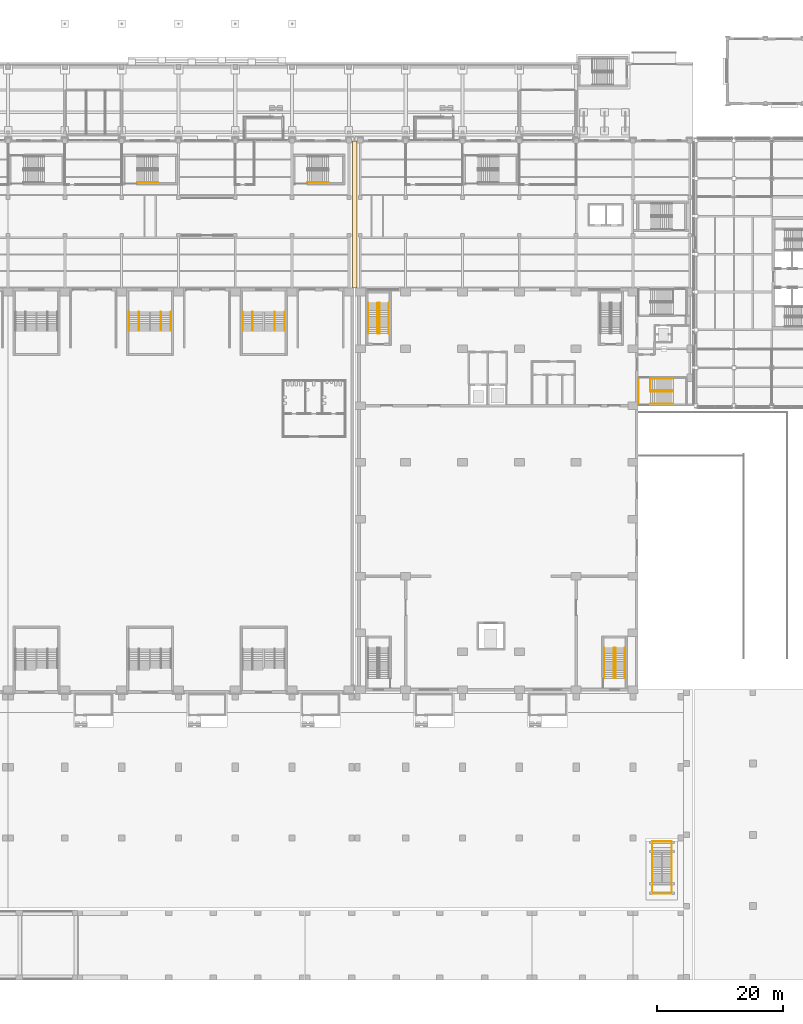
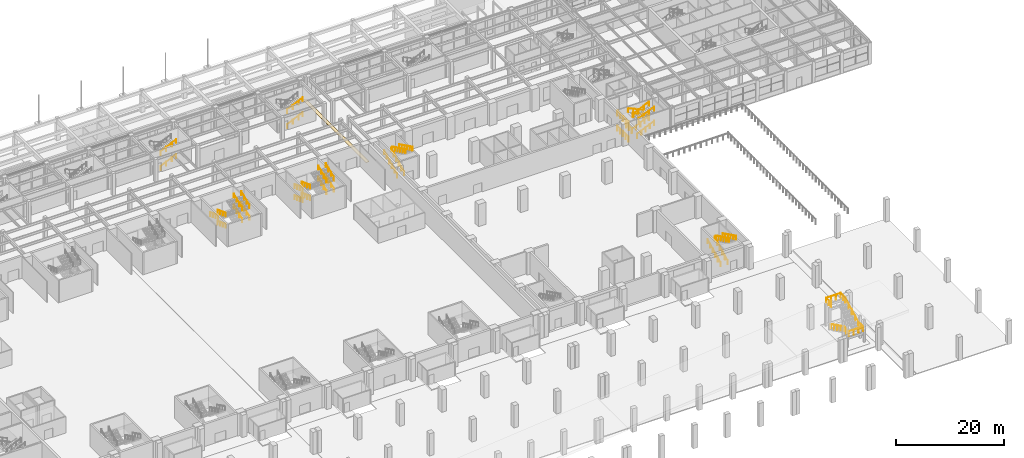
# One storey, part 67 of 77: 38 railings, 1 covering.
"""IFC4 building model written with IfcOpenShell, lengths in metres."""

from ifc_helpers import new_model, si_unit, direction, frame, origin, origin_2d, place, context, subcontext, project, spatial, polyline, circle, outline, extrude, material, layer, layer_set, type_object, element, save


model = new_model("IFC4")

# Units and contexts
model_context = context("Model", 3, precision=1e-05, world=origin(), true_north=direction((0.0, 1.0)))
body_context = subcontext(model_context, "Body", "Model", "MODEL_VIEW")
ifc_project = project(units=[si_unit("LENGTHUNIT", "METRE"), si_unit("AREAUNIT", "SQUARE_METRE"), si_unit("VOLUMEUNIT", "CUBIC_METRE"), si_unit("PLANEANGLEUNIT", "RADIAN"), si_unit("MASSUNIT", "GRAM", prefix="KILO")], contexts=[model_context])

# Site, building, storey
site_placement = place(None, origin())
site = spatial("IfcSite", under=ifc_project, at=site_placement, CompositionType="ELEMENT")
building_placement = place(site_placement, origin())
building = spatial("IfcBuilding", under=site, at=building_placement, Name="Aravalli Gate Trade Fair Centre", CompositionType="ELEMENT")
storey_placement = place(building_placement, origin())
storey = spatial("IfcBuildingStorey", under=building, at=storey_placement, Name="L00", CompositionType="ELEMENT", Elevation=0.0)

# Railings
ifc_material_1 = material(Name="Steel E350", Category="steel")
railing_type_1 = type_object("IfcRailingType", Name="Concourse stair handrail 900", PredefinedType="HANDRAIL", material=ifc_material_1)
railing_1_placement = place(storey_placement, frame((71.449951171875, 126.35009765625, 0.138916015625)))
element("IfcRailing", 1, at=railing_1_placement, inside=storey, type_object=railing_type_1, Name="Handrail XC L00 flight 1o", PredefinedType="HANDRAIL", context=body_context, shape_type="SweptSolid", body=[
    extrude(circle(Radius=0.02392578125, at=origin_2d()), frame((0.0, 0.0, 0.8759765625), z_axis=(0.907499493834, 0.0, 0.420053173647), x_axis=(0.0, 1.0, 0.0)), (0.0, 0.0, 1.0), 1.322265625),
    extrude(circle(Radius=0.02392578125, at=origin_2d()), frame((1.199951171875, 0.0, 1.43115234375), z_axis=(0.907461694017, 0.0, 0.420134828231), x_axis=(0.0, 1.0, 0.0)), (0.0, 0.0, 1.0), 1.322509765625),
    extrude(circle(Radius=0.02392578125, at=origin_2d()), frame((2.400146484375, 0.0, 1.98681640625), z_axis=(0.907418235185, 0.0, 0.420228683522), x_axis=(0.0, 1.0, 0.0)), (0.0, 0.0, 1.0), 0.99169921875),
    extrude(circle(Radius=0.02099609375, at=origin_2d()), origin(), (0.0, 0.0, 1.0), 0.851806640625),
    extrude(circle(Radius=0.02099609375, at=origin_2d()), frame((1.199951171875, 0.0, 0.555419921875)), (0.0, 0.0, 1.0), 0.851806640625),
    extrude(circle(Radius=0.02099609375, at=origin_2d()), frame((2.400146484375, 0.0, 1.111083984375)), (0.0, 0.0, 1.0), 0.851806640625),
    extrude(circle(Radius=0.02099609375, at=origin_2d()), frame((3.300048828125, 0.0, 1.52783203125)), (0.0, 0.0, 1.0), 0.851806640625),
])
railing_2_placement = place(storey_placement, frame((71.449951171875, 126.35009765625, 3.47216796875)))
element("IfcRailing", 2, at=railing_2_placement, inside=storey, type_object=railing_type_1, Name="Handrail XC L00 flight 3o", PredefinedType="HANDRAIL", context=body_context, shape_type="SweptSolid", body=[
    extrude(circle(Radius=0.02392578125, at=origin_2d()), frame((0.0, 0.0, 0.8759765625), z_axis=(0.907429102623, 0.0, 0.420205216189), x_axis=(0.0, 1.0, 0.0)), (0.0, 0.0, 1.0), 1.322265625),
    extrude(circle(Radius=0.02392578125, at=origin_2d()), frame((1.199951171875, 0.0, 1.431640625), z_axis=(0.907532064172, 0.0, 0.419982800242), x_axis=(0.0, 1.0, 0.0)), (0.0, 0.0, 1.0), 1.322509765625),
    extrude(circle(Radius=0.02392578125, at=origin_2d()), frame((2.400146484375, 0.0, 1.98681640625), z_axis=(0.907418235185, 0.0, 0.420228683522), x_axis=(0.0, 1.0, 0.0)), (0.0, 0.0, 1.0), 0.99169921875),
    extrude(circle(Radius=0.02099609375, at=origin_2d()), origin(), (0.0, 0.0, 1.0), 0.851806640625),
    extrude(circle(Radius=0.02099609375, at=origin_2d()), frame((1.199951171875, 0.0, 0.5556640625)), (0.0, 0.0, 1.0), 0.851806640625),
    extrude(circle(Radius=0.02099609375, at=origin_2d()), frame((2.400146484375, 0.0, 1.111083984375)), (0.0, 0.0, 1.0), 0.851806640625),
    extrude(circle(Radius=0.02099609375, at=origin_2d()), frame((3.300048828125, 0.0, 1.52783203125)), (0.0, 0.0, 1.0), 0.851806640625),
])
railing_3_placement = place(storey_placement, frame((98.449951171875, 126.35009765625, 0.138916015625)))
element("IfcRailing", 3, at=railing_3_placement, inside=storey, type_object=railing_type_1, Name="Handrail XD L00 flight 1o", PredefinedType="HANDRAIL", context=body_context, shape_type="SweptSolid", body=[
    extrude(circle(Radius=0.02392578125, at=origin_2d()), frame((0.0, 0.0, 0.8759765625), z_axis=(0.907499493834, 0.0, 0.420053173647), x_axis=(0.0, 1.0, 0.0)), (0.0, 0.0, 1.0), 1.322265625),
    extrude(circle(Radius=0.02392578125, at=origin_2d()), frame((1.199951171875, 0.0, 1.43115234375), z_axis=(0.907461694017, 0.0, 0.420134828231), x_axis=(0.0, 1.0, 0.0)), (0.0, 0.0, 1.0), 1.322509765625),
    extrude(circle(Radius=0.02392578125, at=origin_2d()), frame((2.400146484375, 0.0, 1.98681640625), z_axis=(0.907418235185, 0.0, 0.420228683522), x_axis=(0.0, 1.0, 0.0)), (0.0, 0.0, 1.0), 0.99169921875),
    extrude(circle(Radius=0.02099609375, at=origin_2d()), origin(), (0.0, 0.0, 1.0), 0.851806640625),
    extrude(circle(Radius=0.02099609375, at=origin_2d()), frame((1.199951171875, 0.0, 0.555419921875)), (0.0, 0.0, 1.0), 0.851806640625),
    extrude(circle(Radius=0.02099609375, at=origin_2d()), frame((2.400146484375, 0.0, 1.111083984375)), (0.0, 0.0, 1.0), 0.851806640625),
    extrude(circle(Radius=0.02099609375, at=origin_2d()), frame((3.300048828125, 0.0, 1.52783203125)), (0.0, 0.0, 1.0), 0.851806640625),
])
railing_4_placement = place(storey_placement, frame((98.449951171875, 126.35009765625, 3.47216796875)))
element("IfcRailing", 4, at=railing_4_placement, inside=storey, type_object=railing_type_1, Name="Handrail XD L00 flight 3o", PredefinedType="HANDRAIL", context=body_context, shape_type="SweptSolid", body=[
    extrude(circle(Radius=0.02392578125, at=origin_2d()), frame((0.0, 0.0, 0.8759765625), z_axis=(0.907429102623, 0.0, 0.420205216189), x_axis=(0.0, 1.0, 0.0)), (0.0, 0.0, 1.0), 1.322265625),
    extrude(circle(Radius=0.02392578125, at=origin_2d()), frame((1.199951171875, 0.0, 1.431640625), z_axis=(0.907532064172, 0.0, 0.419982800242), x_axis=(0.0, 1.0, 0.0)), (0.0, 0.0, 1.0), 1.322509765625),
    extrude(circle(Radius=0.02392578125, at=origin_2d()), frame((2.400146484375, 0.0, 1.98681640625), z_axis=(0.907418235185, 0.0, 0.420228683522), x_axis=(0.0, 1.0, 0.0)), (0.0, 0.0, 1.0), 0.99169921875),
    extrude(circle(Radius=0.02099609375, at=origin_2d()), origin(), (0.0, 0.0, 1.0), 0.851806640625),
    extrude(circle(Radius=0.02099609375, at=origin_2d()), frame((1.199951171875, 0.0, 0.5556640625)), (0.0, 0.0, 1.0), 0.851806640625),
    extrude(circle(Radius=0.02099609375, at=origin_2d()), frame((2.400146484375, 0.0, 1.111083984375)), (0.0, 0.0, 1.0), 0.851806640625),
    extrude(circle(Radius=0.02099609375, at=origin_2d()), frame((3.300048828125, 0.0, 1.52783203125)), (0.0, 0.0, 1.0), 0.851806640625),
])
railing_type_2 = type_object("IfcRailingType", Name="Congress stair handrail 900", PredefinedType="HANDRAIL", material=ifc_material_1)
for number, where, name in (
    (5, (145.469970703125, 47.800048828125, 0.147216796875), "Handrail GS2 L00 1"),
    (6, (146.949951171875, 47.800048828125, 0.147216796875), "Handrail GS2 L00 2"),
):
    element("IfcRailing", number, at=place(storey_placement, frame(where)), inside=storey, type_object=railing_type_2, Name=name, PredefinedType="HANDRAIL", context=body_context, shape_type="SweptSolid", body=[
        extrude(circle(Radius=0.02392578125, at=origin_2d()), frame((0.0, 0.0, 0.8759765625), z_axis=(0.0, 0.89793417156, 0.440129780343), x_axis=(-1.0, 0.0, 0.0)), (0.0, 0.0, 1.0), 5.345703125),
        extrude(circle(Radius=0.02099609375, at=origin_2d()), origin(), (0.0, 0.0, 1.0), 0.851806640625),
        extrude(circle(Radius=0.02099609375, at=origin_2d()), frame((0.0, 0.9599609375, 0.470458984375)), (0.0, 0.0, 1.0), 0.851806640625),
        extrude(circle(Radius=0.02099609375, at=origin_2d()), frame((0.0, 1.919921875, 0.941162109375)), (0.0, 0.0, 1.0), 0.851806640625),
        extrude(circle(Radius=0.02099609375, at=origin_2d()), frame((0.0, 2.880126953125, 1.41162109375)), (0.0, 0.0, 1.0), 0.851806640625),
        extrude(circle(Radius=0.02099609375, at=origin_2d()), frame((0.0, 3.840087890625, 1.88232421875)), (0.0, 0.0, 1.0), 0.851806640625),
        extrude(circle(Radius=0.02099609375, at=origin_2d()), frame((0.0, 4.800048828125, 2.352783203125)), (0.0, 0.0, 1.0), 0.851806640625),
    ])
for number, where, name in (
    (7, (148.72998046875, 52.60009765625, 2.647216796875), "Handrail GS2 L00 3"),
    (8, (147.25, 52.60009765625, 2.647216796875), "Handrail GS2 L00 4"),
):
    element("IfcRailing", number, at=place(storey_placement, frame(where)), inside=storey, type_object=railing_type_2, Name=name, PredefinedType="HANDRAIL", context=body_context, shape_type="SweptSolid", body=[
        extrude(circle(Radius=0.02392578125, at=origin_2d()), frame((0.0, 0.0, 0.8759765625), z_axis=(0.0, -0.89793417156, 0.440129780343), x_axis=(1.0, 0.0, 0.0)), (0.0, 0.0, 1.0), 5.345703125),
        extrude(circle(Radius=0.02099609375, at=origin_2d()), origin(), (0.0, 0.0, 1.0), 0.851806640625),
        extrude(circle(Radius=0.02099609375, at=origin_2d()), frame((0.0, -0.9599609375, 0.470458984375)), (0.0, 0.0, 1.0), 0.851806640625),
        extrude(circle(Radius=0.02099609375, at=origin_2d()), frame((0.0, -1.919921875, 0.941162109375)), (0.0, 0.0, 1.0), 0.851806640625),
        extrude(circle(Radius=0.02099609375, at=origin_2d()), frame((0.0, -2.880126953125, 1.41162109375)), (0.0, 0.0, 1.0), 0.851806640625),
        extrude(circle(Radius=0.02099609375, at=origin_2d()), frame((0.0, -3.840087890625, 1.88232421875)), (0.0, 0.0, 1.0), 0.851806640625),
        extrude(circle(Radius=0.02099609375, at=origin_2d()), frame((0.0, -4.800048828125, 2.352783203125)), (0.0, 0.0, 1.0), 0.851806640625),
    ])
for number, where, name in (
    (9, (108.070068359375, 102.449951171875, 0.147216796875), "Handrail GS3 L00 1"),
    (10, (109.550048828125, 102.449951171875, 0.147216796875), "Handrail GS3 L00 2"),
):
    element("IfcRailing", number, at=place(storey_placement, frame(where)), inside=storey, type_object=railing_type_2, Name=name, PredefinedType="HANDRAIL", context=body_context, shape_type="SweptSolid", body=[
        extrude(circle(Radius=0.02392578125, at=origin_2d()), frame((0.0, 0.0, 0.8759765625), z_axis=(0.0, 0.89793417156, 0.440129780343), x_axis=(-1.0, 0.0, 0.0)), (0.0, 0.0, 1.0), 5.345703125),
        extrude(circle(Radius=0.02099609375, at=origin_2d()), origin(), (0.0, 0.0, 1.0), 0.851806640625),
        extrude(circle(Radius=0.02099609375, at=origin_2d()), frame((0.0, 0.9599609375, 0.470458984375)), (0.0, 0.0, 1.0), 0.851806640625),
        extrude(circle(Radius=0.02099609375, at=origin_2d()), frame((0.0, 1.919921875, 0.941162109375)), (0.0, 0.0, 1.0), 0.851806640625),
        extrude(circle(Radius=0.02099609375, at=origin_2d()), frame((0.0, 2.880126953125, 1.41162109375)), (0.0, 0.0, 1.0), 0.851806640625),
        extrude(circle(Radius=0.02099609375, at=origin_2d()), frame((0.0, 3.840087890625, 1.88232421875)), (0.0, 0.0, 1.0), 0.851806640625),
        extrude(circle(Radius=0.02099609375, at=origin_2d()), frame((0.0, 4.800048828125, 2.352783203125)), (0.0, 0.0, 1.0), 0.851806640625),
    ])
for number, where, name in (
    (11, (111.330078125, 107.25, 2.647216796875), "Handrail GS3 L00 3"),
    (12, (109.85009765625, 107.25, 2.647216796875), "Handrail GS3 L00 4"),
):
    element("IfcRailing", number, at=place(storey_placement, frame(where)), inside=storey, type_object=railing_type_2, Name=name, PredefinedType="HANDRAIL", context=body_context, shape_type="SweptSolid", body=[
        extrude(circle(Radius=0.02392578125, at=origin_2d()), frame((0.0, 0.0, 0.8759765625), z_axis=(0.0, -0.89793417156, 0.440129780343), x_axis=(1.0, 0.0, 0.0)), (0.0, 0.0, 1.0), 5.345703125),
        extrude(circle(Radius=0.02099609375, at=origin_2d()), origin(), (0.0, 0.0, 1.0), 0.851806640625),
        extrude(circle(Radius=0.02099609375, at=origin_2d()), frame((0.0, -0.9599609375, 0.470458984375)), (0.0, 0.0, 1.0), 0.851806640625),
        extrude(circle(Radius=0.02099609375, at=origin_2d()), frame((0.0, -1.919921875, 0.941162109375)), (0.0, 0.0, 1.0), 0.851806640625),
        extrude(circle(Radius=0.02099609375, at=origin_2d()), frame((0.0, -2.880126953125, 1.41162109375)), (0.0, 0.0, 1.0), 0.851806640625),
        extrude(circle(Radius=0.02099609375, at=origin_2d()), frame((0.0, -3.840087890625, 1.88232421875)), (0.0, 0.0, 1.0), 0.851806640625),
        extrude(circle(Radius=0.02099609375, at=origin_2d()), frame((0.0, -4.800048828125, 2.352783203125)), (0.0, 0.0, 1.0), 0.851806640625),
    ])
railing_type_3 = type_object("IfcRailingType", Name="Edge guard 1100", PredefinedType="GUARDRAIL", material=ifc_material_1)
railing_5_placement = place(storey_placement, frame((153.050048828125, 20.199951171875, 0.147216796875)))
element("IfcRailing", 13, at=railing_5_placement, inside=storey, type_object=railing_type_3, Name="Stair guard 2 L00 A", PredefinedType="GUARDRAIL", context=body_context, shape_type="SweptSolid", body=[
    extrude(circle(Radius=0.02392578125, at=origin_2d()), frame((0.0, 0.0, 1.076171875), z_axis=(0.0, -0.89793417156, 0.440129780343), x_axis=(1.0, 0.0, 0.0)), (0.0, 0.0, 1.0), 5.345703125),
    extrude(circle(Radius=0.02392578125, at=origin_2d()), frame((0.0, -4.800048828125, 3.4287109375), z_axis=(0.0, -1.0, 0.0), x_axis=(1.0, 0.0, 0.0)), (0.0, 0.0, 1.0), 1.75),
    extrude(circle(Radius=0.02392578125, at=origin_2d()), frame((0.0, -6.550048828125, 3.4287109375), z_axis=(1.0, 0.0, 0.0), x_axis=(0.0, 1.0, 0.0)), (0.0, 0.0, 1.0), 3.099853515625),
    extrude(circle(Radius=0.02392578125, at=origin_2d()), frame((3.099853515625, -6.550048828125, 3.4287109375), z_axis=(0.0, 1.0, 0.0), x_axis=(-1.0, 0.0, 0.0)), (0.0, 0.0, 1.0), 1.75),
    extrude(circle(Radius=0.02392578125, at=origin_2d()), frame((3.099853515625, -4.800048828125, 3.4287109375), z_axis=(0.0, 0.886916009322, 0.46193072252), x_axis=(-1.0, 0.0, 0.0)), (0.0, 0.0, 1.0), 5.412109375),
    extrude(circle(Radius=0.02392578125, at=origin_2d()), frame((3.099853515625, 0.0, 5.9287109375), z_axis=(0.0, 1.0, 0.0), x_axis=(-1.0, 0.0, 0.0)), (0.0, 0.0, 1.0), 1.75),
    extrude(circle(Radius=0.02099609375, at=origin_2d()), origin(), (0.0, 0.0, 1.0), 1.052001953125),
    extrude(circle(Radius=0.02099609375, at=origin_2d()), frame((0.0, -1.199951171875, 0.588134765625)), (0.0, 0.0, 1.0), 1.052001953125),
    extrude(circle(Radius=0.02099609375, at=origin_2d()), frame((0.0, -2.39990234375, 1.17626953125)), (0.0, 0.0, 1.0), 1.052001953125),
    extrude(circle(Radius=0.02099609375, at=origin_2d()), frame((0.0, -3.60009765625, 1.7646484375)), (0.0, 0.0, 1.0), 1.052001953125),
    extrude(circle(Radius=0.02099609375, at=origin_2d()), frame((0.0, -4.800048828125, 2.352783203125)), (0.0, 0.0, 1.0), 1.052001953125),
    extrude(circle(Radius=0.02099609375, at=origin_2d()), frame((0.0, -5.675048828125, 2.352783203125)), (0.0, 0.0, 1.0), 1.052001953125),
    extrude(circle(Radius=0.02099609375, at=origin_2d()), frame((0.0, -6.550048828125, 2.352783203125)), (0.0, 0.0, 1.0), 1.052001953125),
    extrude(circle(Radius=0.02099609375, at=origin_2d()), frame((1.033203125, -6.550048828125, 2.352783203125)), (0.0, 0.0, 1.0), 1.052001953125),
    extrude(circle(Radius=0.02099609375, at=origin_2d()), frame((2.066650390625, -6.550048828125, 2.352783203125)), (0.0, 0.0, 1.0), 1.052001953125),
    extrude(circle(Radius=0.02099609375, at=origin_2d()), frame((3.099853515625, -6.550048828125, 2.352783203125)), (0.0, 0.0, 1.0), 1.052001953125),
    extrude(circle(Radius=0.02099609375, at=origin_2d()), frame((3.099853515625, -5.675048828125, 2.352783203125)), (0.0, 0.0, 1.0), 1.052001953125),
    extrude(circle(Radius=0.02099609375, at=origin_2d()), frame((3.099853515625, -4.800048828125, 2.352783203125)), (0.0, 0.0, 1.0), 1.052001953125),
    extrude(circle(Radius=0.02099609375, at=origin_2d()), frame((3.099853515625, -3.60009765625, 2.977783203125)), (0.0, 0.0, 1.0), 1.052001953125),
    extrude(circle(Radius=0.02099609375, at=origin_2d()), frame((3.099853515625, -2.39990234375, 3.602783203125)), (0.0, 0.0, 1.0), 1.052001953125),
    extrude(circle(Radius=0.02099609375, at=origin_2d()), frame((3.099853515625, -1.199951171875, 4.227783203125)), (0.0, 0.0, 1.0), 1.052001953125),
    extrude(circle(Radius=0.02099609375, at=origin_2d()), frame((3.099853515625, 0.0, 4.852783203125)), (0.0, 0.0, 1.0), 1.052001953125),
    extrude(circle(Radius=0.02099609375, at=origin_2d()), frame((3.099853515625, 0.875, 4.852783203125)), (0.0, 0.0, 1.0), 1.052001953125),
    extrude(circle(Radius=0.02099609375, at=origin_2d()), frame((3.099853515625, 1.75, 4.852783203125)), (0.0, 0.0, 1.0), 1.052001953125),
])
railing_6_placement = place(storey_placement, frame((153.050048828125, 20.199951171875, 5.0)))
element("IfcRailing", 14, at=railing_6_placement, inside=storey, type_object=railing_type_3, Name="Stair guard 2 L00 B", PredefinedType="GUARDRAIL", context=body_context, shape_type="SweptSolid", body=[
    extrude(circle(Radius=0.02392578125, at=origin_2d()), frame((0.0, 0.0, 1.076171875), z_axis=(0.0, 1.0, 0.0), x_axis=(-1.0, 0.0, 0.0)), (0.0, 0.0, 1.0), 1.75),
    extrude(circle(Radius=0.02392578125, at=origin_2d()), frame((0.0, 1.75, 1.076171875), z_axis=(1.0, 0.0, 0.0), x_axis=(0.0, 1.0, 0.0)), (0.0, 0.0, 1.0), 3.099853515625),
    extrude(circle(Radius=0.02099609375, at=origin_2d()), origin(), (0.0, 0.0, 1.0), 1.052001953125),
    extrude(circle(Radius=0.02099609375, at=origin_2d()), frame((0.0, 0.875, 0.0)), (0.0, 0.0, 1.0), 1.052001953125),
    extrude(circle(Radius=0.02099609375, at=origin_2d()), frame((0.0, 1.75, 0.0)), (0.0, 0.0, 1.0), 1.052001953125),
    extrude(circle(Radius=0.02099609375, at=origin_2d()), frame((1.033203125, 1.75, 0.0)), (0.0, 0.0, 1.0), 1.052001953125),
    extrude(circle(Radius=0.02099609375, at=origin_2d()), frame((2.066650390625, 1.75, 0.0)), (0.0, 0.0, 1.0), 1.052001953125),
    extrude(circle(Radius=0.02099609375, at=origin_2d()), frame((3.099853515625, 1.75, 0.0)), (0.0, 0.0, 1.0), 1.052001953125),
])

# Covering
ifc_material_2 = material(Name="Stainless steel", Category="steel")
ifc_layer = layer(ifc_material_2, 0.010009765625)
ifc_layer_set = layer_set([ifc_layer], Name="Stainless steel")
covering_type = type_object("IfcCoveringType", Name="Joint cover plate, stainless steel 10", PredefinedType="FLOORING", material=ifc_layer_set)
covering_placement = place(storey_placement, origin())
element("IfcCovering", 15, at=covering_placement, inside=storey, type_object=covering_type, Name="Joint cover plate J2 L00 1", PredefinedType="FLOORING", context=body_context, shape_type="SweptSolid", body=[
    extrude(outline(polyline([(105.550048828125, 109.60009765625), (106.25, 109.60009765625), (106.25, 132.919921875), (105.550048828125, 132.919921875), (105.550048828125, 109.60009765625)])), origin(), (0.0, 0.0, 1.0), 0.010009765625),
])

# Railings
railing_type_4 = type_object("IfcRailingType", Name="Stair handrail 900", PredefinedType="HANDRAIL", material=ifc_material_1)
railing_7_placement = place(storey_placement, frame((71.75, 105.85009765625, 0.113525390625)))
element("IfcRailing", 16, at=railing_7_placement, inside=storey, type_object=railing_type_4, Name="Handrail centre N08 L00 2", PredefinedType="HANDRAIL", context=body_context, shape_type="SweptSolid", body=[
    extrude(circle(Radius=0.02392578125, at=origin_2d()), frame((0.0, 0.0, 0.8759765625), z_axis=(0.0, -0.935147985876, 0.354257313985), x_axis=(1.0, 0.0, 0.0)), (0.0, 0.0, 1.0), 3.2080078125),
    extrude(circle(Radius=0.02099609375, at=origin_2d()), origin(), (0.0, 0.0, 1.0), 0.851806640625),
    extrude(circle(Radius=0.02099609375, at=origin_2d()), frame((0.0, -1.0, 0.37890625)), (0.0, 0.0, 1.0), 0.851806640625),
    extrude(circle(Radius=0.02099609375, at=origin_2d()), frame((0.0, -2.0, 0.757568359375)), (0.0, 0.0, 1.0), 0.851806640625),
    extrude(circle(Radius=0.02099609375, at=origin_2d()), frame((0.0, -3.0, 1.136474609375)), (0.0, 0.0, 1.0), 0.851806640625),
])
for number, where, name in (
    (17, (76.830078125, 102.85009765625, 1.363525390625), "Handrail N08 L00 3"),
    (18, (75.25, 102.85009765625, 1.363525390625), "Handrail centre N08 L00 4"),
):
    element("IfcRailing", number, at=place(storey_placement, frame(where)), inside=storey, type_object=railing_type_4, Name=name, PredefinedType="HANDRAIL", context=body_context, shape_type="SweptSolid", body=[
        extrude(circle(Radius=0.02392578125, at=origin_2d()), frame((0.0, 0.0, 0.8759765625), z_axis=(0.0, 0.935147985876, 0.354257313985), x_axis=(-1.0, 0.0, 0.0)), (0.0, 0.0, 1.0), 3.2080078125),
        extrude(circle(Radius=0.02099609375, at=origin_2d()), origin(), (0.0, 0.0, 1.0), 0.851806640625),
        extrude(circle(Radius=0.02099609375, at=origin_2d()), frame((0.0, 1.0, 0.37890625)), (0.0, 0.0, 1.0), 0.851806640625),
        extrude(circle(Radius=0.02099609375, at=origin_2d()), frame((0.0, 2.0, 0.757568359375)), (0.0, 0.0, 1.0), 0.851806640625),
        extrude(circle(Radius=0.02099609375, at=origin_2d()), frame((0.0, 3.0, 1.136474609375)), (0.0, 0.0, 1.0), 0.851806640625),
    ])
for number, where, name in (
    (19, (70.169921875, 105.85009765625, 2.613525390625), "Handrail N08 L00 5"),
    (20, (71.75, 105.85009765625, 2.613525390625), "Handrail centre N08 L00 6"),
):
    element("IfcRailing", number, at=place(storey_placement, frame(where)), inside=storey, type_object=railing_type_4, Name=name, PredefinedType="HANDRAIL", context=body_context, shape_type="SweptSolid", body=[
        extrude(circle(Radius=0.02392578125, at=origin_2d()), frame((0.0, 0.0, 0.8759765625), z_axis=(0.0, -0.935147985876, 0.354257313985), x_axis=(1.0, 0.0, 0.0)), (0.0, 0.0, 1.0), 3.2080078125),
        extrude(circle(Radius=0.02099609375, at=origin_2d()), origin(), (0.0, 0.0, 1.0), 0.851806640625),
        extrude(circle(Radius=0.02099609375, at=origin_2d()), frame((0.0, -1.0, 0.37890625)), (0.0, 0.0, 1.0), 0.851806640625),
        extrude(circle(Radius=0.02099609375, at=origin_2d()), frame((0.0, -2.0, 0.757568359375)), (0.0, 0.0, 1.0), 0.851806640625),
        extrude(circle(Radius=0.02099609375, at=origin_2d()), frame((0.0, -3.0, 1.136474609375)), (0.0, 0.0, 1.0), 0.851806640625),
    ])
for number, where, name in (
    (21, (76.830078125, 102.85009765625, 3.863525390625), "Handrail N08 L00 7"),
    (22, (75.25, 102.85009765625, 3.863525390625), "Handrail centre N08 L00 8"),
):
    element("IfcRailing", number, at=place(storey_placement, frame(where)), inside=storey, type_object=railing_type_4, Name=name, PredefinedType="HANDRAIL", context=body_context, shape_type="SweptSolid", body=[
        extrude(circle(Radius=0.02392578125, at=origin_2d()), frame((0.0, 0.0, 0.8759765625), z_axis=(0.0, 0.935147985876, 0.354257313985), x_axis=(-1.0, 0.0, 0.0)), (0.0, 0.0, 1.0), 3.2080078125),
        extrude(circle(Radius=0.02099609375, at=origin_2d()), origin(), (0.0, 0.0, 1.0), 0.851806640625),
        extrude(circle(Radius=0.02099609375, at=origin_2d()), frame((0.0, 1.0, 0.37890625)), (0.0, 0.0, 1.0), 0.851806640625),
        extrude(circle(Radius=0.02099609375, at=origin_2d()), frame((0.0, 2.0, 0.757568359375)), (0.0, 0.0, 1.0), 0.851806640625),
        extrude(circle(Radius=0.02099609375, at=origin_2d()), frame((0.0, 3.0, 1.136474609375)), (0.0, 0.0, 1.0), 0.851806640625),
    ])
for number, where, name in (
    (23, (88.169921875, 105.85009765625, 0.113525390625), "Handrail N10 L00 1"),
    (24, (89.75, 105.85009765625, 0.113525390625), "Handrail centre N10 L00 2"),
):
    element("IfcRailing", number, at=place(storey_placement, frame(where)), inside=storey, type_object=railing_type_4, Name=name, PredefinedType="HANDRAIL", context=body_context, shape_type="SweptSolid", body=[
        extrude(circle(Radius=0.02392578125, at=origin_2d()), frame((0.0, 0.0, 0.8759765625), z_axis=(0.0, -0.935147985876, 0.354257313985), x_axis=(1.0, 0.0, 0.0)), (0.0, 0.0, 1.0), 3.2080078125),
        extrude(circle(Radius=0.02099609375, at=origin_2d()), origin(), (0.0, 0.0, 1.0), 0.851806640625),
        extrude(circle(Radius=0.02099609375, at=origin_2d()), frame((0.0, -1.0, 0.37890625)), (0.0, 0.0, 1.0), 0.851806640625),
        extrude(circle(Radius=0.02099609375, at=origin_2d()), frame((0.0, -2.0, 0.757568359375)), (0.0, 0.0, 1.0), 0.851806640625),
        extrude(circle(Radius=0.02099609375, at=origin_2d()), frame((0.0, -3.0, 1.136474609375)), (0.0, 0.0, 1.0), 0.851806640625),
    ])
for number, where, name in (
    (25, (94.830078125, 102.85009765625, 1.363525390625), "Handrail N10 L00 3"),
    (26, (93.25, 102.85009765625, 1.363525390625), "Handrail centre N10 L00 4"),
):
    element("IfcRailing", number, at=place(storey_placement, frame(where)), inside=storey, type_object=railing_type_4, Name=name, PredefinedType="HANDRAIL", context=body_context, shape_type="SweptSolid", body=[
        extrude(circle(Radius=0.02392578125, at=origin_2d()), frame((0.0, 0.0, 0.8759765625), z_axis=(0.0, 0.935147985876, 0.354257313985), x_axis=(-1.0, 0.0, 0.0)), (0.0, 0.0, 1.0), 3.2080078125),
        extrude(circle(Radius=0.02099609375, at=origin_2d()), origin(), (0.0, 0.0, 1.0), 0.851806640625),
        extrude(circle(Radius=0.02099609375, at=origin_2d()), frame((0.0, 1.0, 0.37890625)), (0.0, 0.0, 1.0), 0.851806640625),
        extrude(circle(Radius=0.02099609375, at=origin_2d()), frame((0.0, 2.0, 0.757568359375)), (0.0, 0.0, 1.0), 0.851806640625),
        extrude(circle(Radius=0.02099609375, at=origin_2d()), frame((0.0, 3.0, 1.136474609375)), (0.0, 0.0, 1.0), 0.851806640625),
    ])
for number, where, name in (
    (27, (88.169921875, 105.85009765625, 2.613525390625), "Handrail N10 L00 5"),
    (28, (89.75, 105.85009765625, 2.613525390625), "Handrail centre N10 L00 6"),
):
    element("IfcRailing", number, at=place(storey_placement, frame(where)), inside=storey, type_object=railing_type_4, Name=name, PredefinedType="HANDRAIL", context=body_context, shape_type="SweptSolid", body=[
        extrude(circle(Radius=0.02392578125, at=origin_2d()), frame((0.0, 0.0, 0.8759765625), z_axis=(0.0, -0.935147985876, 0.354257313985), x_axis=(1.0, 0.0, 0.0)), (0.0, 0.0, 1.0), 3.2080078125),
        extrude(circle(Radius=0.02099609375, at=origin_2d()), origin(), (0.0, 0.0, 1.0), 0.851806640625),
        extrude(circle(Radius=0.02099609375, at=origin_2d()), frame((0.0, -1.0, 0.37890625)), (0.0, 0.0, 1.0), 0.851806640625),
        extrude(circle(Radius=0.02099609375, at=origin_2d()), frame((0.0, -2.0, 0.757568359375)), (0.0, 0.0, 1.0), 0.851806640625),
        extrude(circle(Radius=0.02099609375, at=origin_2d()), frame((0.0, -3.0, 1.136474609375)), (0.0, 0.0, 1.0), 0.851806640625),
    ])
for number, where, name in (
    (29, (94.830078125, 102.85009765625, 3.863525390625), "Handrail N10 L00 7"),
    (30, (93.25, 102.85009765625, 3.863525390625), "Handrail centre N10 L00 8"),
):
    element("IfcRailing", number, at=place(storey_placement, frame(where)), inside=storey, type_object=railing_type_4, Name=name, PredefinedType="HANDRAIL", context=body_context, shape_type="SweptSolid", body=[
        extrude(circle(Radius=0.02392578125, at=origin_2d()), frame((0.0, 0.0, 0.8759765625), z_axis=(0.0, 0.935147985876, 0.354257313985), x_axis=(-1.0, 0.0, 0.0)), (0.0, 0.0, 1.0), 3.2080078125),
        extrude(circle(Radius=0.02099609375, at=origin_2d()), origin(), (0.0, 0.0, 1.0), 0.851806640625),
        extrude(circle(Radius=0.02099609375, at=origin_2d()), frame((0.0, 1.0, 0.37890625)), (0.0, 0.0, 1.0), 0.851806640625),
        extrude(circle(Radius=0.02099609375, at=origin_2d()), frame((0.0, 2.0, 0.757568359375)), (0.0, 0.0, 1.0), 0.851806640625),
        extrude(circle(Radius=0.02099609375, at=origin_2d()), frame((0.0, 3.0, 1.136474609375)), (0.0, 0.0, 1.0), 0.851806640625),
    ])
railing_type_5 = type_object("IfcRailingType", Name="Wing stair handrail", PredefinedType="HANDRAIL", material=ifc_material_1)
for number, where, name in (
    (31, (152.800048828125, 91.31005859375, 0.14697265625), "Handrail LA L00 1a"),
    (32, (152.800048828125, 93.18994140625, 0.14697265625), "Handrail LA L00 1b"),
):
    element("IfcRailing", number, at=place(storey_placement, frame(where)), inside=storey, type_object=railing_type_5, Name=name, PredefinedType="HANDRAIL", context=body_context, shape_type="SweptSolid", body=[
        extrude(circle(Radius=0.02392578125, at=origin_2d()), frame((0.0, 0.0, 0.92578125), z_axis=(0.91201066968, 0.0, 0.410166476434), x_axis=(0.0, 1.0, 0.0)), (0.0, 0.0, 1.0), 3.94384765625),
        extrude(circle(Radius=0.02099609375, at=origin_2d()), origin(), (0.0, 0.0, 1.0), 0.90185546875),
        extrude(circle(Radius=0.02099609375, at=origin_2d()), frame((0.899169921875, 0.0, 0.404296875)), (0.0, 0.0, 1.0), 0.90185546875),
        extrude(circle(Radius=0.02099609375, at=origin_2d()), frame((1.79833984375, 0.0, 0.808837890625)), (0.0, 0.0, 1.0), 0.90185546875),
        extrude(circle(Radius=0.02099609375, at=origin_2d()), frame((2.69775390625, 0.0, 1.21337890625)), (0.0, 0.0, 1.0), 0.90185546875),
        extrude(circle(Radius=0.02099609375, at=origin_2d()), frame((3.596923828125, 0.0, 1.61767578125)), (0.0, 0.0, 1.0), 0.90185546875),
    ])
for number, where, name in (
    (33, (156.39697265625, 93.409912109375, 1.911865234375), "Handrail LA L00 2a"),
    (34, (156.39697265625, 95.2900390625, 1.911865234375), "Handrail LA L00 2b"),
):
    element("IfcRailing", number, at=place(storey_placement, frame(where)), inside=storey, type_object=railing_type_5, Name=name, PredefinedType="HANDRAIL", context=body_context, shape_type="SweptSolid", body=[
        extrude(circle(Radius=0.02392578125, at=origin_2d()), frame((0.0, 0.0, 0.92578125), z_axis=(-0.912031043563, 0.0, 0.410121171822), x_axis=(0.0, -1.0, 0.0)), (0.0, 0.0, 1.0), 3.58544921875),
        extrude(circle(Radius=0.02099609375, at=origin_2d()), origin(), (0.0, 0.0, 1.0), 0.90185546875),
        extrude(circle(Radius=0.02099609375, at=origin_2d()), frame((-1.090087890625, 0.0, 0.490234375)), (0.0, 0.0, 1.0), 0.90185546875),
        extrude(circle(Radius=0.02099609375, at=origin_2d()), frame((-2.179931640625, 0.0, 0.980224609375)), (0.0, 0.0, 1.0), 0.90185546875),
        extrude(circle(Radius=0.02099609375, at=origin_2d()), frame((-3.27001953125, 0.0, 1.470458984375)), (0.0, 0.0, 1.0), 0.90185546875),
    ])
for number, where, name in (
    (35, (153.126953125, 91.31005859375, 3.529296875), "Handrail LA L00 3a"),
    (36, (153.126953125, 93.18994140625, 3.529296875), "Handrail LA L00 3b"),
):
    element("IfcRailing", number, at=place(storey_placement, frame(where)), inside=storey, type_object=railing_type_5, Name=name, PredefinedType="HANDRAIL", context=body_context, shape_type="SweptSolid", body=[
        extrude(circle(Radius=0.02392578125, at=origin_2d()), frame((0.0, 0.0, 0.92578125), z_axis=(0.912005572974, 0.0, 0.410177808839), x_axis=(0.0, 1.0, 0.0)), (0.0, 0.0, 1.0), 3.58544921875),
        extrude(circle(Radius=0.02099609375, at=origin_2d()), origin(), (0.0, 0.0, 1.0), 0.90185546875),
        extrude(circle(Radius=0.02099609375, at=origin_2d()), frame((1.090087890625, 0.0, 0.490234375)), (0.0, 0.0, 1.0), 0.90185546875),
        extrude(circle(Radius=0.02099609375, at=origin_2d()), frame((2.179931640625, 0.0, 0.98046875)), (0.0, 0.0, 1.0), 0.90185546875),
        extrude(circle(Radius=0.02099609375, at=origin_2d()), frame((3.27001953125, 0.0, 1.470703125)), (0.0, 0.0, 1.0), 0.90185546875),
    ])
railing_type_6 = type_object("IfcRailingType", Name="Wing stair roof guard", PredefinedType="GUARDRAIL", material=ifc_material_1)
railing_8_placement = place(storey_placement, frame((152.800048828125, 93.35009765625, 0.0)))
element("IfcRailing", 37, at=railing_8_placement, inside=storey, type_object=railing_type_6, Name="Guard LA landing L00", PredefinedType="GUARDRAIL", context=body_context, shape_type="SweptSolid", body=[
    extrude(circle(Radius=0.02392578125, at=origin_2d()), frame((0.0, 0.0, 1.076171875), z_axis=(0.0, 1.0, 0.0), x_axis=(-1.0, 0.0, 0.0)), (0.0, 0.0, 1.0), 2.0),
    extrude(circle(Radius=0.02099609375, at=origin_2d()), origin(), (0.0, 0.0, 1.0), 1.052001953125),
    extrude(circle(Radius=0.02099609375, at=origin_2d()), frame((0.0, 1.0, 0.0)), (0.0, 0.0, 1.0), 1.052001953125),
    extrude(circle(Radius=0.02099609375, at=origin_2d()), frame((0.0, 2.0, 0.0)), (0.0, 0.0, 1.0), 1.052001953125),
])
for number, where, name in (
    (38, (150.89990234375, 91.25, 0.0), "Guard LA landing L00 west edge 1"),
    (39, (150.89990234375, 91.25, 3.38232421875), "Guard LA landing L00 west edge 3"),
):
    element("IfcRailing", number, at=place(storey_placement, frame(where)), inside=storey, type_object=railing_type_6, Name=name, PredefinedType="GUARDRAIL", context=body_context, shape_type="SweptSolid", body=[
        extrude(circle(Radius=0.02392578125, at=origin_2d()), frame((0.0, 0.0, 1.076171875), z_axis=(0.0, 1.0, 0.0), x_axis=(-1.0, 0.0, 0.0)), (0.0, 0.0, 1.0), 4.10009765625),
        extrude(circle(Radius=0.02099609375, at=origin_2d()), origin(), (0.0, 0.0, 1.0), 1.052001953125),
        extrude(circle(Radius=0.02099609375, at=origin_2d()), frame((0.0, 1.02490234375, 0.0)), (0.0, 0.0, 1.0), 1.052001953125),
        extrude(circle(Radius=0.02099609375, at=origin_2d()), frame((0.0, 2.050048828125, 0.0)), (0.0, 0.0, 1.0), 1.052001953125),
        extrude(circle(Radius=0.02099609375, at=origin_2d()), frame((0.0, 3.0751953125, 0.0)), (0.0, 0.0, 1.0), 1.052001953125),
        extrude(circle(Radius=0.02099609375, at=origin_2d()), frame((0.0, 4.10009765625, 0.0)), (0.0, 0.0, 1.0), 1.052001953125),
    ])

save(model, "model.ifc")
